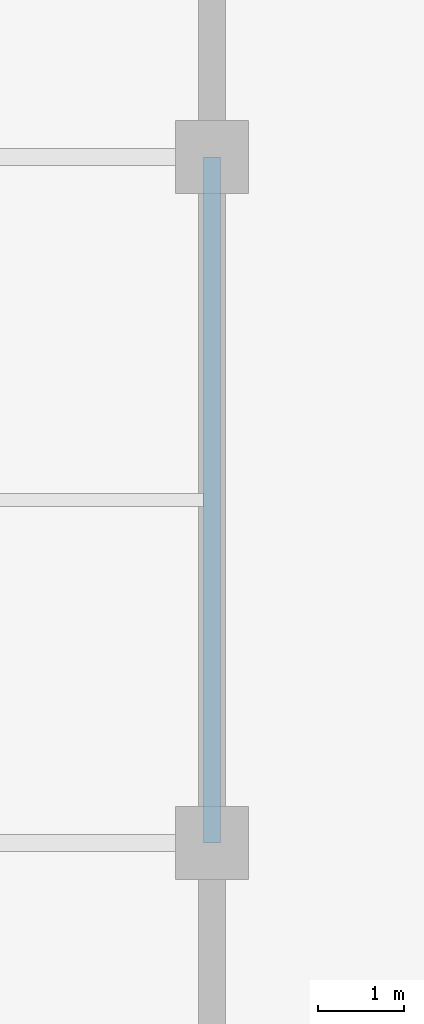
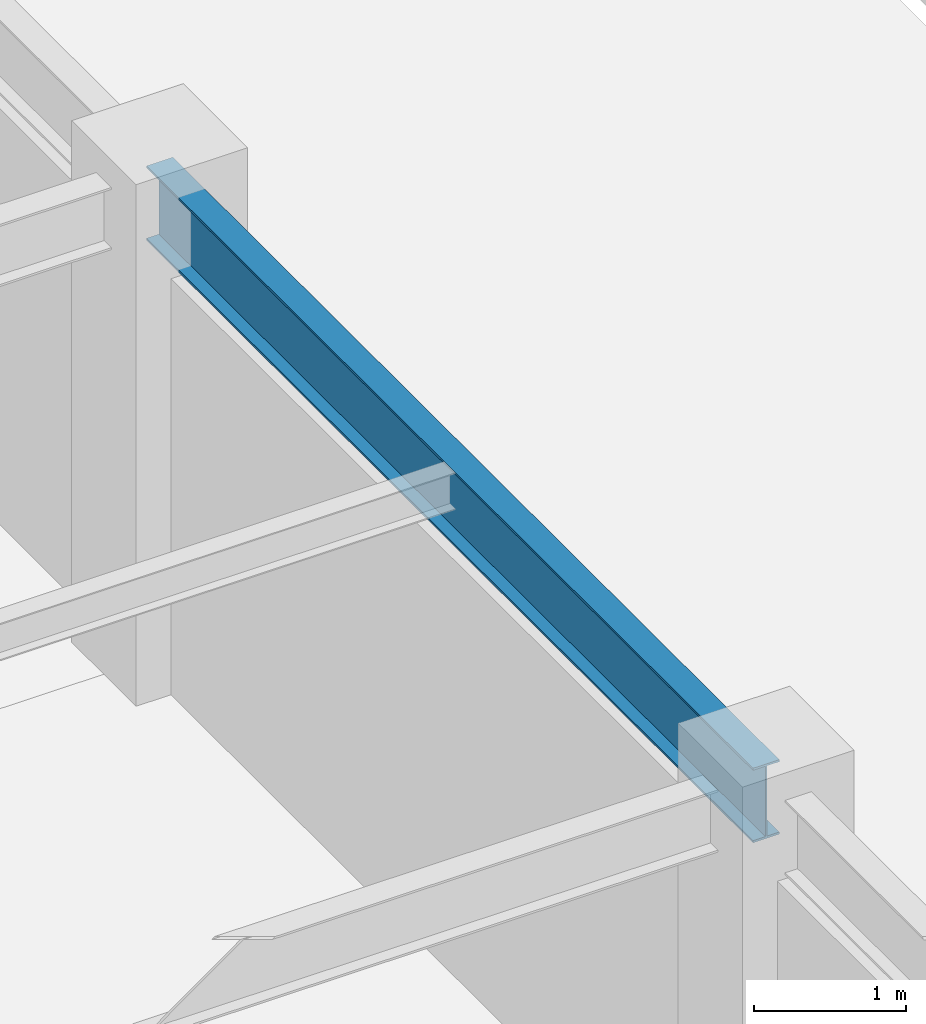
# One storey, part 22 of 78: 1 beam.
"""IFC4 building model written with IfcOpenShell, lengths in metres."""

from ifc_helpers import new_model, si_unit, direction, frame, origin, origin_2d, place, context, subcontext, project, spatial, i_section, extrude, material, material_profile, profile_set, type_object, element, save


model = new_model("IFC4")

# Units and contexts
model_context = context("Model", 3, precision=1e-05, world=origin(), true_north=direction((0.0, 1.0)))
body_context = subcontext(model_context, "Body", "Model", "MODEL_VIEW")
ifc_project = project(units=[si_unit("LENGTHUNIT", "METRE"), si_unit("AREAUNIT", "SQUARE_METRE"), si_unit("VOLUMEUNIT", "CUBIC_METRE"), si_unit("PLANEANGLEUNIT", "RADIAN"), si_unit("MASSUNIT", "GRAM", prefix="KILO")], contexts=[model_context])

# Site, building, storey
site_placement = place(None, origin())
site = spatial("IfcSite", under=ifc_project, at=site_placement, CompositionType="ELEMENT")
building_placement = place(site_placement, origin())
building = spatial("IfcBuilding", under=site, at=building_placement, Name="Haebicheon Civic Stadium", CompositionType="ELEMENT")
storey_placement = place(building_placement, frame((0.0, 0.0, 18.60009765625)))
storey = spatial("IfcBuildingStorey", under=building, at=storey_placement, Name="L05", CompositionType="ELEMENT", Elevation=18.60009765625)

# Beam
ifc_material = material(Name="Steel SM355 (S355)", Category="steel")
ifc_material_profile = material_profile(ifc_material, i_section(OverallWidth=0.199951171875, OverallDepth=0.60009765625, WebThickness=0.010986328125, FlangeThickness=0.01708984375, at=origin_2d()), Name="H-600x200x11x17")
ifc_profile_set = profile_set([ifc_material_profile], Name="Steel SM355 (S355)")
beam_type = type_object("IfcBeamType", Name="SPD-ST-H600B", PredefinedType="SPANDREL", material=ifc_profile_set)
beam_placement = place(storey_placement, frame((56.0, 56.0, 3.679931640625), z_axis=(0.0, 1.0, 0.0), x_axis=(-1.0, 0.0, 0.0)))
element("IfcBeam", 1, at=beam_placement, inside=storey, type_object=beam_type, material=ifc_profile_set, Name="L05 girder 8/H-J", PredefinedType="SPANDREL", context=body_context, shape_type="SweptSolid", body=[
    extrude(i_section(OverallWidth=0.199951171875, OverallDepth=0.60009765625, WebThickness=0.010986328125, FlangeThickness=0.01708984375, at=origin_2d()), origin(), (0.0, 0.0, 1.0), 8.0),
])

save(model, "model.ifc")
